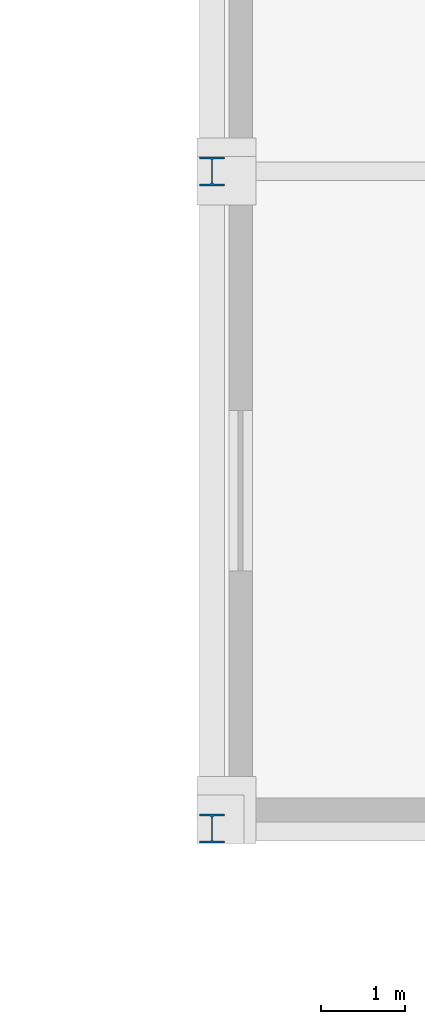
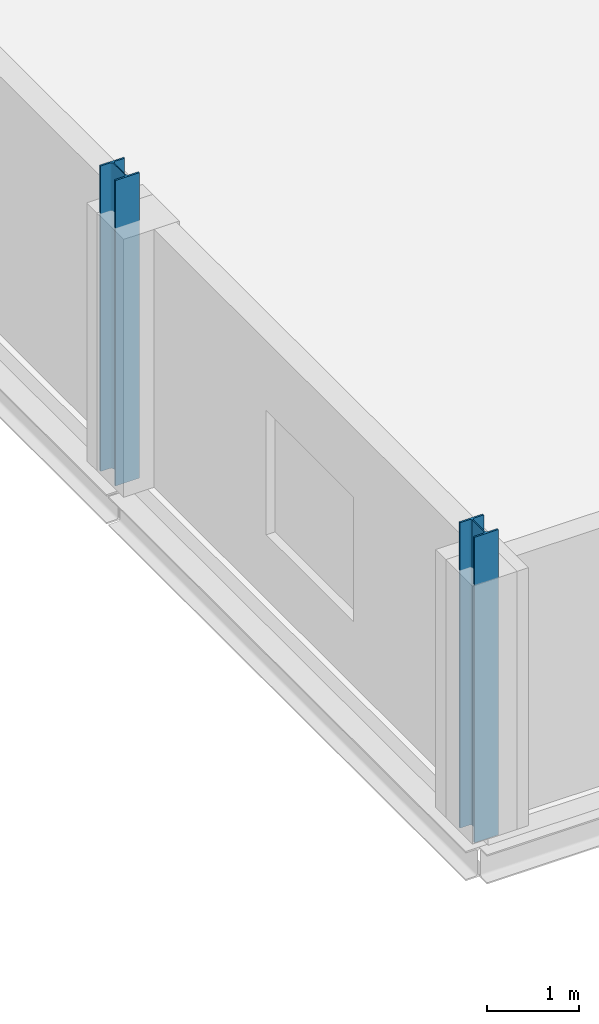
# One storey, part 3 of 77: 2 columns.
"""IFC4 building model written with IfcOpenShell, lengths in metres."""

import ifcopenshell
import ifcopenshell.guid

model = None  # the IFC model being written
_history = None  # IfcOwnerHistory: only IFC2X3 demands one
_inside = {}  # id of a spatial element -> (the spatial element, [elements in it])
_under = {}  # id of a project, library or spatial element -> (it, [spatial elements below it])
_declared = {}  # id of a project -> (the project, [libraries it declares])
_typed = {}  # id of a type object -> (the type object, [elements of that type])
_made_of = {}  # id of a material, layer set ... -> (it, [elements and type objects made of it])


def new_model(schema):
    """Start an empty IFC model of exactly this schema.

    Asked for "IFC4X3", IfcOpenShell would pick the latest addendum, in which some entities
    have other attributes; the version numbers below select the first issue.
    IFC2X3 requires an IfcOwnerHistory on every rooted entity: one is made here for all.
    """
    global model, _history
    if schema == "IFC4X3":
        model = ifcopenshell.file(schema_version=(4, 3, 0, 0))
    else:
        model = ifcopenshell.file(schema=schema)
    _inside.clear()
    _under.clear()
    _declared.clear()
    _typed.clear()
    _made_of.clear()
    _history = None
    if model.schema == "IFC2X3":
        org = make("IfcOrganization", Name="unknown")
        user = make(
            "IfcPersonAndOrganization",
            ThePerson=make("IfcPerson", FamilyName="unknown"),
            TheOrganization=org,
        )
        app = make(
            "IfcApplication",
            ApplicationDeveloper=org,
            Version="unknown",
            ApplicationFullName="unknown",
            ApplicationIdentifier="unknown",
        )
        _history = make(
            "IfcOwnerHistory",
            OwningUser=user,
            OwningApplication=app,
            ChangeAction="ADDED",
            CreationDate=0,
        )
    return model


def make(cls, **values):
    """One entity of the class cls with the attributes given. An attribute that is None is left unset."""
    return model.create_entity(
        cls, **{name: value for name, value in values.items() if value is not None}
    )


def rooted(cls, **values):
    """An entity with a GlobalId (a new one), such as an element, a storey or a relation."""
    return make(cls, GlobalId=ifcopenshell.guid.new(), OwnerHistory=_history, **values)


def si_unit(unit_type, name, prefix=None):
    """IfcSIUnit, for example si_unit("LENGTHUNIT", "METRE", prefix="MILLI")."""
    return make("IfcSIUnit", UnitType=unit_type, Prefix=prefix, Name=name)


def assignment(units):
    """IfcUnitAssignment: the units of a project."""
    return None if units is None else make("IfcUnitAssignment", Units=units)


def point(xyz):
    """IfcCartesianPoint."""
    return None if xyz is None else make("IfcCartesianPoint", Coordinates=xyz)


def direction(xyz):
    """IfcDirection."""
    return None if xyz is None else make("IfcDirection", DirectionRatios=xyz)


def frame(location, z_axis=None, x_axis=None):
    """IfcAxis2Placement3D, a coordinate frame: its origin and axes. An axis left out is left unset."""
    return make(
        "IfcAxis2Placement3D",
        Location=point(location),
        Axis=direction(z_axis),
        RefDirection=direction(x_axis),
    )


def frame_2d(location, x_axis=None):
    """IfcAxis2Placement2D, a coordinate frame in the plane: its origin and x axis."""
    return make(
        "IfcAxis2Placement2D", Location=point(location), RefDirection=direction(x_axis)
    )


def origin():
    """The frame at (0, 0, 0) with its axes left unset."""
    return frame((0.0, 0.0, 0.0))


def origin_2d():
    """The frame at (0, 0) in the plane with its x axis left unset."""
    return frame_2d((0.0, 0.0))


def place(relative_to, where):
    """IfcLocalPlacement: puts the frame where relative to a parent placement (None: the world)."""
    return make(
        "IfcLocalPlacement", PlacementRelTo=relative_to, RelativePlacement=where
    )


def context(
    kind, dimensions, precision=None, world=None, true_north=None, identifier=None
):
    """IfcGeometricRepresentationContext, for example the 3D "Model" context."""
    return make(
        "IfcGeometricRepresentationContext",
        ContextIdentifier=identifier,
        ContextType=kind,
        CoordinateSpaceDimension=dimensions,
        Precision=precision,
        WorldCoordinateSystem=world,
        TrueNorth=true_north,
    )


def subcontext(parent, identifier, kind, view, scale=None):
    """IfcGeometricRepresentationSubContext, for example "Body" below "Model"."""
    return make(
        "IfcGeometricRepresentationSubContext",
        ContextIdentifier=identifier,
        ContextType=kind,
        ParentContext=parent,
        TargetScale=scale,
        TargetView=view,
    )


def project(units=None, contexts=None):
    """IfcProject with its units and contexts."""
    return rooted(
        "IfcProject",
        Name="project",
        RepresentationContexts=contexts,
        UnitsInContext=assignment(units),
    )


def spatial(cls, under=None, at=None, **own):
    """A site, building, storey or space (cls), placed at a placement, below another one or the project."""
    s = rooted(cls, ObjectPlacement=at, **own)
    if under is not None:
        _under.setdefault(under.id(), (under, []))[1].append(s)
    return s


def profile(cls, at=None, kind="AREA", **sizes):
    """A parametric profile (cls). Its sizes go by their IFC names, for example OverallWidth=200.0."""
    return make(cls, ProfileType=kind, Position=at, **sizes)


def i_section(**sizes):
    """IfcIShapeProfileDef."""
    return profile("IfcIShapeProfileDef", **sizes)


def extrude(swept, where, along, depth):
    """IfcExtrudedAreaSolid: the profile swept, set in the frame where, extruded along a direction by depth."""
    return make(
        "IfcExtrudedAreaSolid",
        SweptArea=swept,
        Position=where,
        ExtrudedDirection=direction(along),
        Depth=depth,
    )


def shape(context_of_items, identifier, shape_type, items):
    """IfcShapeRepresentation: the items that make up one representation, for example the "Body"."""
    return make(
        "IfcShapeRepresentation",
        ContextOfItems=context_of_items,
        RepresentationIdentifier=identifier,
        RepresentationType=shape_type,
        Items=items,
    )


def material(Name=None, Category=None):
    """IfcMaterial."""
    return make("IfcMaterial", Name=Name, Category=Category)


def material_profile(
    of_material, cross_section, Name=None, Category=None, Priority=None
):
    """IfcMaterialProfile: a cross section and its material."""
    return make(
        "IfcMaterialProfile",
        Name=Name,
        Material=of_material,
        Profile=cross_section,
        Priority=Priority,
        Category=Category,
    )


def profile_set(profiles, Name=None, composite=None):
    """IfcMaterialProfileSet."""
    return make(
        "IfcMaterialProfileSet",
        Name=Name,
        MaterialProfiles=profiles,
        CompositeProfile=composite,
    )


def made_of(thing, what):
    """Note that an element or type object is made of a material, layer set ...; save() writes the relation."""
    if what is not None:
        _made_of.setdefault(what.id(), (what, []))[1].append(thing)
    return thing


def type_object(cls, material=None, **own):
    """A type object (cls), such as IfcWallType, which elements share."""
    return made_of(rooted(cls, **own), material)


def element(
    cls,
    number,
    at=None,
    inside=None,
    cuts=None,
    type_object=None,
    material=None,
    context=None,
    identifier="Body",
    shape_type=None,
    held_by="IfcProductDefinitionShape",
    body=None,
    shapes=None,
    **own,
):
    """One element of the class cls, such as IfcWall. Its Tag is "e" and its number.

    at: its placement. inside: the storey or other place that contains it. cuts: it is an
    opening in that element (IfcRelVoidsElement). A single representation is given by context,
    identifier, shape_type and body (its items); several are given by shapes. held_by: the class
    of the entity that holds the representations. save() writes the other relations.
    """
    e = rooted(cls, Tag="e%d" % number, ObjectPlacement=at, **own)
    if body is not None:
        shapes = [shape(context, identifier, shape_type, body)]
    if shapes is not None:
        e.Representation = make(held_by, Representations=shapes)
    if inside is not None:
        _inside.setdefault(inside.id(), (inside, []))[1].append(e)
    if cuts is not None:
        rooted(
            "IfcRelVoidsElement", RelatingBuildingElement=cuts, RelatedOpeningElement=e
        )
    if type_object is not None:
        _typed.setdefault(type_object.id(), (type_object, []))[1].append(e)
    return made_of(e, material)


def aggregate(whole, parts):
    """IfcRelAggregates: a whole, such as a stair, and the parts it consists of."""
    return rooted("IfcRelAggregates", RelatingObject=whole, RelatedObjects=parts)


def save(model, path):
    """Write the relations noted so far, then the file.

    IfcRelAggregates (storeys below a building ...), IfcRelContainedInSpatialStructure (elements
    in a storey), IfcRelDefinesByType, IfcRelAssociatesMaterial and IfcRelDeclares: one each for
    every whole, place, type object, material and project.
    """
    for whole, parts in _under.values():
        aggregate(whole, parts)
    for where, things in _inside.values():
        rooted(
            "IfcRelContainedInSpatialStructure",
            RelatedElements=things,
            RelatingStructure=where,
        )
    for kind, things in _typed.values():
        rooted("IfcRelDefinesByType", RelatedObjects=things, RelatingType=kind)
    for what, things in _made_of.values():
        rooted("IfcRelAssociatesMaterial", RelatedObjects=things, RelatingMaterial=what)
    for by, libraries in _declared.values():
        rooted("IfcRelDeclares", RelatingContext=by, RelatedDefinitions=libraries)
    model.write(path)


model = new_model("IFC4")

# Units and contexts
model_context = context("Model", 3, precision=1e-05, world=origin(), true_north=direction((0.0, 1.0)))
body_context = subcontext(model_context, "Body", "Model", "MODEL_VIEW")
ifc_project = project(units=[si_unit("LENGTHUNIT", "METRE"), si_unit("AREAUNIT", "SQUARE_METRE"), si_unit("VOLUMEUNIT", "CUBIC_METRE"), si_unit("PLANEANGLEUNIT", "RADIAN"), si_unit("MASSUNIT", "GRAM", prefix="KILO")], contexts=[model_context])

# Site, building, storey
site_placement = place(None, origin())
site = spatial("IfcSite", under=ifc_project, at=site_placement, CompositionType="ELEMENT")
building_placement = place(site_placement, origin())
building = spatial("IfcBuilding", under=site, at=building_placement, Name="Nabrawat Pavilion Hospital", CompositionType="ELEMENT")
storey_placement = place(building_placement, frame((0.0, 0.0, 14.85009765625)))
storey = spatial("IfcBuildingStorey", under=building, at=storey_placement, Name="L03", CompositionType="ELEMENT", Elevation=14.85009765625)

# Columns
ifc_material = material(Name="Steel S355", Category="steel")
ifc_material_profile = material_profile(ifc_material, i_section(OverallWidth=0.300048828125, OverallDepth=0.340087890625, WebThickness=0.011962890625, FlangeThickness=0.021484375, FilletRadius=0.027099609375, at=origin_2d()), Name="HEB 340")
ifc_profile_set = profile_set([ifc_material_profile], Name="Steel S355")
column_type = type_object("IfcColumnType", Name="Upper Clinic Steel Column HEB 340", PredefinedType="COLUMN", material=ifc_profile_set)
for number, where, z_axis, x_axis, name in (
    (1, (126.0, 0.0, 0.0), (0.0, 0.0, 1.0), (1.0, 0.0, 0.0), "L03 Structural Column G-16A-A"),
    (2, (126.0, 7.800048828125, 0.0), (0.0, 0.0, 1.0), (1.0, 0.0, 0.0), "L03 Structural Column G-16A-B"),
):
    element("IfcColumn", number, at=place(storey_placement, frame(where, z_axis=z_axis, x_axis=x_axis)), inside=storey, type_object=column_type, Name=name, PredefinedType="COLUMN", context=body_context, shape_type="SweptSolid", body=[
        extrude(i_section(OverallWidth=0.300048828125, OverallDepth=0.340087890625, WebThickness=0.011962890625, FlangeThickness=0.021484375, FilletRadius=0.027099609375, at=origin_2d()), origin(), (0.0, 0.0, 1.0), 4.0498046875),
    ])

save(model, "model.ifc")
